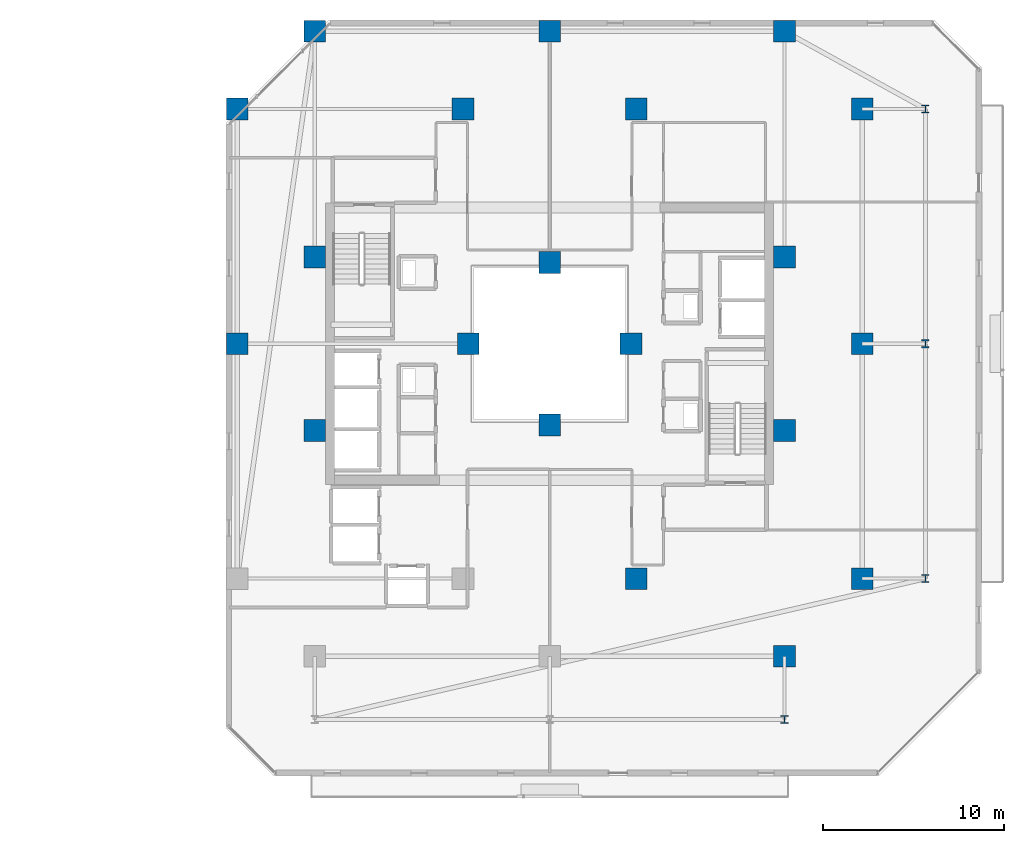
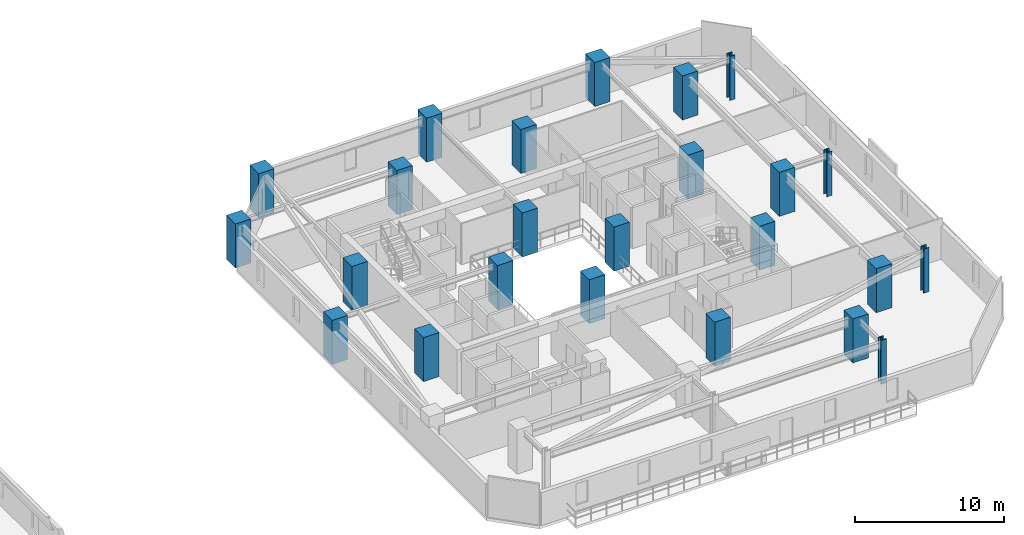
# One storey, part 2 of 31: 24 columns.
"""IFC4 building model written with IfcOpenShell, lengths in metres."""

from ifc_helpers import new_model, si_unit, direction, frame, origin, origin_2d, place, context, subcontext, project, spatial, rectangle, i_section, extrude, material, material_profile, profile_set, type_object, element, save


model = new_model("IFC4")

# Units and contexts
model_context = context("Model", 3, precision=1e-05, world=origin(), true_north=direction((0.0, 1.0)))
body_context = subcontext(model_context, "Body", "Model", "MODEL_VIEW")
ifc_project = project(units=[si_unit("LENGTHUNIT", "METRE"), si_unit("AREAUNIT", "SQUARE_METRE"), si_unit("VOLUMEUNIT", "CUBIC_METRE"), si_unit("PLANEANGLEUNIT", "RADIAN"), si_unit("MASSUNIT", "GRAM", prefix="KILO")], contexts=[model_context])

# Site, building, storey
site_placement = place(None, origin())
site = spatial("IfcSite", under=ifc_project, at=site_placement, CompositionType="ELEMENT")
building_placement = place(site_placement, origin())
building = spatial("IfcBuilding", under=site, at=building_placement, Name="Thornwick Lancets Civic Towers", CompositionType="ELEMENT")
storey_placement = place(building_placement, frame((0.0, 0.0, 126.89990234375)))
storey = spatial("IfcBuildingStorey", under=building, at=storey_placement, Name="L33", CompositionType="ELEMENT", Elevation=126.89990234375)

# Columns
ifc_material_1 = material(Name="Concrete C60/75", Category="concrete")
ifc_material_profile_1 = material_profile(ifc_material_1, rectangle(XDim=1.199951171875, YDim=1.199951171875, at=origin_2d()), Name="RC 1200x1200")
ifc_profile_set_1 = profile_set([ifc_material_profile_1], Name="Concrete C60/75")
column_type_1 = type_object("IfcColumnType", Name="COL_RC_1200", PredefinedType="COLUMN", material=ifc_profile_set_1)
for number, where, z_axis, x_axis, name in (
    (1, (105.800048828125, 14.0, 0.0), (0.0, 0.0, 1.0), (1.0, 0.0, 0.0), "L33 Spine Mega-Column B01"),
    (2, (105.800048828125, 27.0, 0.0), (0.0, 0.0, 1.0), (1.0, 0.0, 0.0), "L33 Spine Mega-Column B02"),
    (3, (105.800048828125, 40.0, 0.0), (0.0, 0.0, 1.0), (1.0, 0.0, 0.0), "L33 Spine Mega-Column B03"),
    (4, (101.5, 44.300048828125, 0.0), (0.0, 0.0, 1.0), (1.0, 0.0, 0.0), "L33 Spine Mega-Column B04"),
    (5, (88.5, 44.300048828125, 0.0), (0.0, 0.0, 1.0), (1.0, 0.0, 0.0), "L33 Spine Mega-Column B05"),
    (6, (75.5, 44.300048828125, 0.0), (0.0, 0.0, 1.0), (1.0, 0.0, 0.0), "L33 Spine Mega-Column B06"),
    (7, (71.199951171875, 27.0, 0.0), (0.0, 0.0, 1.0), (1.0, 0.0, 0.0), "L33 Spine Mega-Column B08"),
    (8, (71.199951171875, 40.0, 0.0), (0.0, 0.0, 1.0), (1.0, 0.0, 0.0), "L33 Spine Mega-Column B09"),
    (9, (101.5, 9.699951171875, 0.0), (0.0, 0.0, 1.0), (1.0, 0.0, 0.0), "L33 Spine Mega-Column B10"),
    (10, (93.300048828125, 14.0, 0.0), (0.0, 0.0, 1.0), (1.0, 0.0, 0.0), "L33 Spine Mega-Column B13"),
    (11, (93.300048828125, 40.0, 0.0), (0.0, 0.0, 1.0), (1.0, 0.0, 0.0), "L33 Spine Mega-Column B14"),
    (12, (83.699951171875, 40.0, 0.0), (0.0, 0.0, 1.0), (1.0, 0.0, 0.0), "L33 Spine Mega-Column B16"),
    (13, (101.5, 22.199951171875, 0.0), (0.0, 0.0, 1.0), (1.0, 0.0, 0.0), "L33 Spine Mega-Column B17"),
    (14, (101.5, 31.800048828125, 0.0), (0.0, 0.0, 1.0), (1.0, 0.0, 0.0), "L33 Spine Mega-Column B18"),
    (15, (75.5, 22.199951171875, 0.0), (0.0, 0.0, 1.0), (1.0, 0.0, 0.0), "L33 Spine Mega-Column B19"),
    (16, (75.5, 31.800048828125, 0.0), (0.0, 0.0, 1.0), (1.0, 0.0, 0.0), "L33 Spine Mega-Column B20"),
    (17, (93.0, 27.0, 0.0), (0.0, 0.0, 1.0), (1.0, 0.0, 0.0), "L33 Spine Mega-Column B21"),
    (18, (84.0, 27.0, 0.0), (0.0, 0.0, 1.0), (1.0, 0.0, 0.0), "L33 Spine Mega-Column B22"),
    (19, (88.5, 22.5, 0.0), (0.0, 0.0, 1.0), (1.0, 0.0, 0.0), "L33 Spine Mega-Column B23"),
    (20, (88.5, 31.5, 0.0), (0.0, 0.0, 1.0), (1.0, 0.0, 0.0), "L33 Spine Mega-Column B24"),
):
    element("IfcColumn", number, at=place(storey_placement, frame(where, z_axis=z_axis, x_axis=x_axis)), inside=storey, type_object=column_type_1, Name=name, PredefinedType="COLUMN", context=body_context, shape_type="SweptSolid", body=[
        extrude(rectangle(XDim=1.199951171875, YDim=1.199951171875, at=origin_2d()), origin(), (0.0, 0.0, 1.0), 3.60009765625),
    ])
ifc_material_2 = material(Name="Steel S460M", Category="steel")
ifc_material_profile_2 = material_profile(ifc_material_2, i_section(OverallWidth=0.41845703125, OverallDepth=0.45556640625, WebThickness=0.0419921875, FlangeThickness=0.0673828125, FilletRadius=0.01513671875, at=origin_2d()), Name="UKC 356x406x551")
ifc_profile_set_2 = profile_set([ifc_material_profile_2], Name="Steel S460M")
column_type_2 = type_object("IfcColumnType", Name="COL_UKC_551", PredefinedType="COLUMN", material=ifc_profile_set_2)
for number, where, z_axis, x_axis, name in (
    (21, (109.300048828125, 14.0, 0.0), (0.0, 0.0, 1.0), (1.0, 0.0, 0.0), "L33 Block Perimeter Column B01"),
    (22, (109.300048828125, 27.0, 0.0), (0.0, 0.0, 1.0), (1.0, 0.0, 0.0), "L33 Block Perimeter Column B02"),
    (23, (109.300048828125, 40.0, 0.0), (0.0, 0.0, 1.0), (1.0, 0.0, 0.0), "L33 Block Perimeter Column B03"),
    (24, (101.5, 6.199951171875, 0.0), (0.0, 0.0, 1.0), (1.0, 0.0, 0.0), "L33 Block Perimeter Column B10"),
):
    element("IfcColumn", number, at=place(storey_placement, frame(where, z_axis=z_axis, x_axis=x_axis)), inside=storey, type_object=column_type_2, Name=name, PredefinedType="COLUMN", context=body_context, shape_type="SweptSolid", body=[
        extrude(i_section(OverallWidth=0.41845703125, OverallDepth=0.45556640625, WebThickness=0.0419921875, FlangeThickness=0.0673828125, FilletRadius=0.01513671875, at=origin_2d()), origin(), (0.0, 0.0, 1.0), 3.60009765625),
    ])

save(model, "model.ifc")
